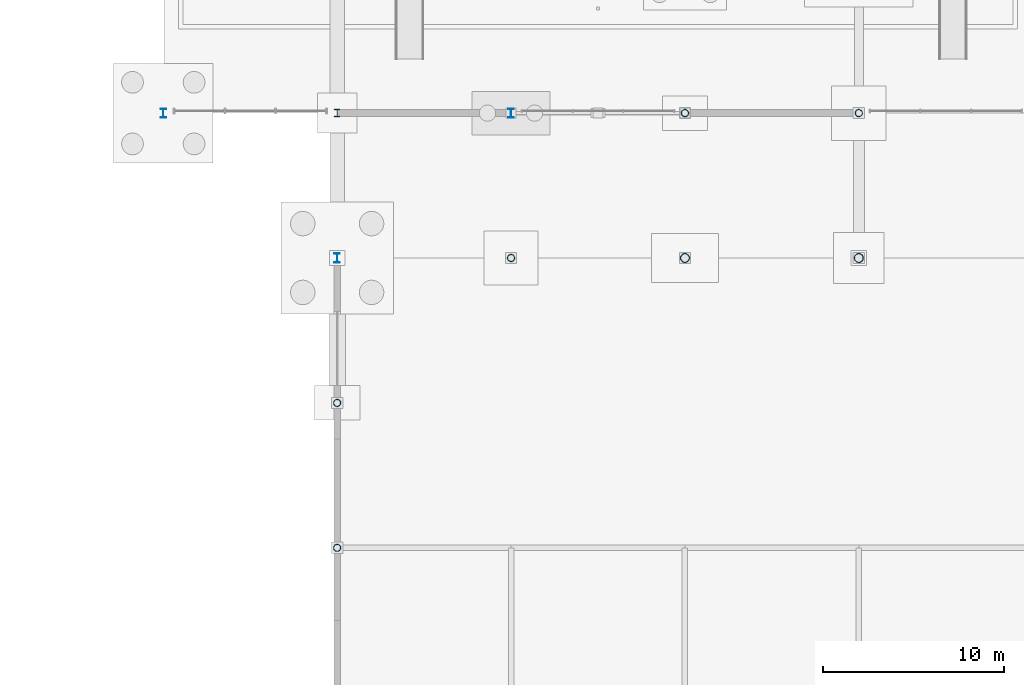
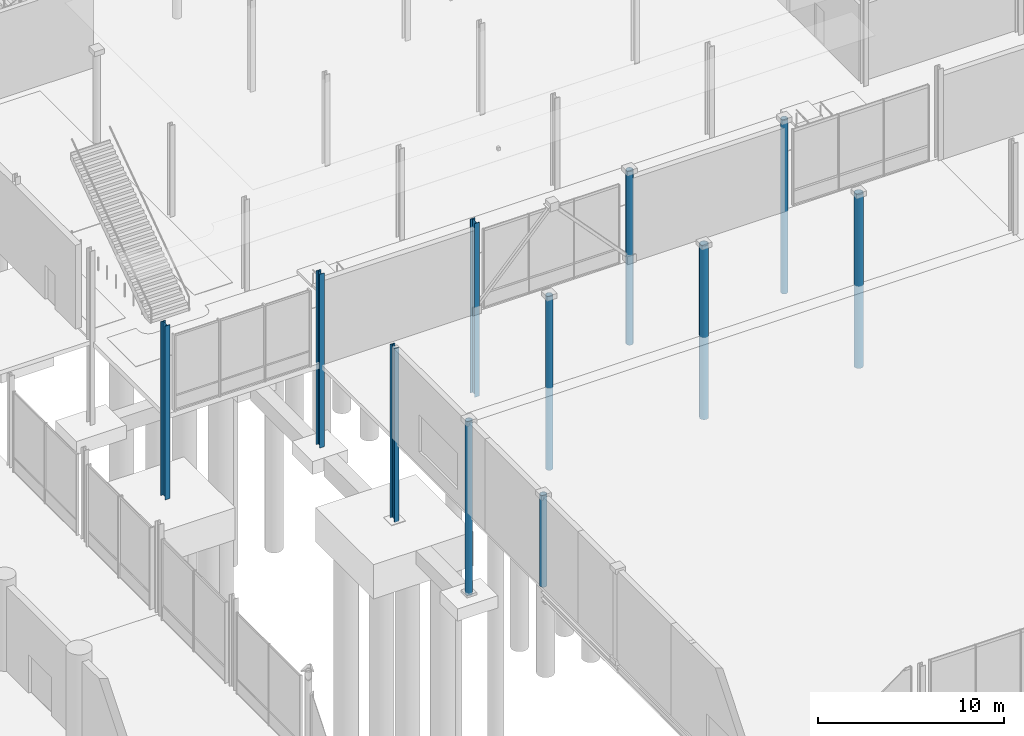
# One storey, part 23 of 124: 11 columns.
"""IFC4 building model written with IfcOpenShell, lengths in metres."""

from ifc_helpers import new_model, si_unit, direction, frame, origin, origin_2d, place, context, subcontext, project, spatial, hollow_circle, i_section, extrude, material, material_profile, profile_set, type_object, element, save


model = new_model("IFC4")

# Units and contexts
model_context = context("Model", 3, precision=1e-05, world=origin(), true_north=direction((0.0, 1.0)))
body_context = subcontext(model_context, "Body", "Model", "MODEL_VIEW")
ifc_project = project(units=[si_unit("LENGTHUNIT", "METRE"), si_unit("AREAUNIT", "SQUARE_METRE"), si_unit("VOLUMEUNIT", "CUBIC_METRE"), si_unit("PLANEANGLEUNIT", "RADIAN"), si_unit("MASSUNIT", "GRAM", prefix="KILO")], contexts=[model_context])

# Site, building, storey
site_placement = place(None, origin())
site = spatial("IfcSite", under=ifc_project, at=site_placement, CompositionType="ELEMENT")
building_placement = place(site_placement, origin())
building = spatial("IfcBuilding", under=site, at=building_placement, Name="Danafjord Basin Convention Centre", CompositionType="ELEMENT")
storey_placement = place(building_placement, origin())
storey = spatial("IfcBuildingStorey", under=building, at=storey_placement, Name="L00", CompositionType="ELEMENT", Elevation=0.0)

# Columns
ifc_material = material(Name="Steel S355", Category="steel")
ifc_material_profile_1 = material_profile(ifc_material, hollow_circle(Radius=0.203125, WallThickness=0.02001953125, at=origin_2d()), Name="CHS 406.4x20.0")
ifc_profile_set_1 = profile_set([ifc_material_profile_1], Name="Steel S355")
column_type_1 = type_object("IfcColumnType", Name="COL-C-CHS406", PredefinedType="COLUMN", material=ifc_profile_set_1)
column_1_placement = place(storey_placement, frame((144.0, 64.0, 0.0), z_axis=(0.0, 0.0, 1.0), x_axis=(1.0, 0.0, 0.0)))
element("IfcColumn", 1, at=column_1_placement, inside=storey, type_object=column_type_1, Name="L00 column C-CHS406 at (144.0, 64.0)", PredefinedType="COLUMN", context=body_context, shape_type="SweptSolid", body=[
    extrude(hollow_circle(Radius=0.203125, WallThickness=0.02001953125, at=origin_2d()), origin(), (0.0, 0.0, 1.0), 6.0),
])
for number, where, z_axis, x_axis, name in (
    (2, (144.0, 72.0, -5.39990234375), (0.0, 0.0, 1.0), (1.0, 0.0, 0.0), "L00 column C-CHS406 at (144.0, 72.0)"),
    (3, (153.60009765625, 80.0, -5.39990234375), (0.0, 0.0, 1.0), (1.0, 0.0, 0.0), "L00 column C-CHS406 at (153.6, 80.0)"),
    (4, (163.199951171875, 88.0, -5.39990234375), (0.0, 0.0, 1.0), (1.0, 0.0, 0.0), "L00 column C-CHS406 at (163.2, 88.0)"),
    (5, (172.800048828125, 88.0, -5.39990234375), (0.0, 0.0, 1.0), (1.0, 0.0, 0.0), "L00 column C-CHS406 at (172.8, 88.0)"),
):
    element("IfcColumn", number, at=place(storey_placement, frame(where, z_axis=z_axis, x_axis=x_axis)), inside=storey, type_object=column_type_1, Name=name, PredefinedType="COLUMN", context=body_context, shape_type="SweptSolid", body=[
        extrude(hollow_circle(Radius=0.203125, WallThickness=0.02001953125, at=origin_2d()), origin(), (0.0, 0.0, 1.0), 11.39990234375),
    ])
ifc_material_profile_2 = material_profile(ifc_material, hollow_circle(Radius=0.25390625, WallThickness=0.02490234375, at=origin_2d()), Name="CHS 508.0x25.0")
ifc_profile_set_2 = profile_set([ifc_material_profile_2], Name="Steel S355")
column_type_2 = type_object("IfcColumnType", Name="COL-C-CHS508", PredefinedType="COLUMN", material=ifc_profile_set_2)
for number, where, z_axis, x_axis, name in (
    (6, (163.199951171875, 80.0, -5.39990234375), (0.0, 0.0, 1.0), (1.0, 0.0, 0.0), "L00 column C-CHS508 at (163.2, 80.0)"),
    (7, (172.800048828125, 80.0, -5.39990234375), (0.0, 0.0, 1.0), (1.0, 0.0, 0.0), "L00 column C-CHS508 at (172.8, 80.0)"),
):
    element("IfcColumn", number, at=place(storey_placement, frame(where, z_axis=z_axis, x_axis=x_axis)), inside=storey, type_object=column_type_2, Name=name, PredefinedType="COLUMN", context=body_context, shape_type="SweptSolid", body=[
        extrude(hollow_circle(Radius=0.25390625, WallThickness=0.02490234375, at=origin_2d()), origin(), (0.0, 0.0, 1.0), 11.39990234375),
    ])
ifc_material_profile_3 = material_profile(ifc_material, i_section(OverallWidth=0.300048828125, OverallDepth=0.39990234375, WebThickness=0.013427734375, FlangeThickness=0.02392578125, FilletRadius=0.027099609375, at=origin_2d()), Name="HEB 400")
ifc_profile_set_3 = profile_set([ifc_material_profile_3], Name="Steel S355")
column_type_3 = type_object("IfcColumnType", Name="COL-C-HEB400", PredefinedType="COLUMN", material=ifc_profile_set_3)
column_2_placement = place(storey_placement, frame((144.0, 88.0, -5.39990234375), z_axis=(0.0, 0.0, 1.0), x_axis=(1.0, 0.0, 0.0)))
element("IfcColumn", 8, at=column_2_placement, inside=storey, type_object=column_type_3, Name="L00 column C-HEB400 at (144.0, 88.0)", PredefinedType="COLUMN", context=body_context, shape_type="SweptSolid", body=[
    extrude(i_section(OverallWidth=0.300048828125, OverallDepth=0.39990234375, WebThickness=0.013427734375, FlangeThickness=0.02392578125, FilletRadius=0.027099609375, at=origin_2d()), origin(), (0.0, 0.0, 1.0), 11.39990234375),
])
ifc_material_profile_4 = material_profile(ifc_material, i_section(OverallWidth=0.300048828125, OverallDepth=0.5, WebThickness=0.014404296875, FlangeThickness=0.028076171875, FilletRadius=0.027099609375, at=origin_2d()), Name="HEB 500")
ifc_profile_set_4 = profile_set([ifc_material_profile_4], Name="Steel S355")
column_type_4 = type_object("IfcColumnType", Name="COL-C-HEB500", PredefinedType="COLUMN", material=ifc_profile_set_4)
for number, where, z_axis, x_axis, name in (
    (9, (134.39990234375, 88.0, -5.39990234375), (0.0, 0.0, 1.0), (1.0, 0.0, 0.0), "L00 column C-HEB500 at (134.4, 88.0)"),
    (10, (144.0, 80.0, -5.39990234375), (0.0, 0.0, 1.0), (1.0, 0.0, 0.0), "L00 column C-HEB500 at (144.0, 80.0)"),
    (11, (153.60009765625, 88.0, -5.39990234375), (0.0, 0.0, 1.0), (1.0, 0.0, 0.0), "L00 column C-HEB500 at (153.6, 88.0)"),
):
    element("IfcColumn", number, at=place(storey_placement, frame(where, z_axis=z_axis, x_axis=x_axis)), inside=storey, type_object=column_type_4, Name=name, PredefinedType="COLUMN", context=body_context, shape_type="SweptSolid", body=[
        extrude(i_section(OverallWidth=0.300048828125, OverallDepth=0.5, WebThickness=0.014404296875, FlangeThickness=0.028076171875, FilletRadius=0.027099609375, at=origin_2d()), origin(), (0.0, 0.0, 1.0), 11.39990234375),
    ])

save(model, "model.ifc")
